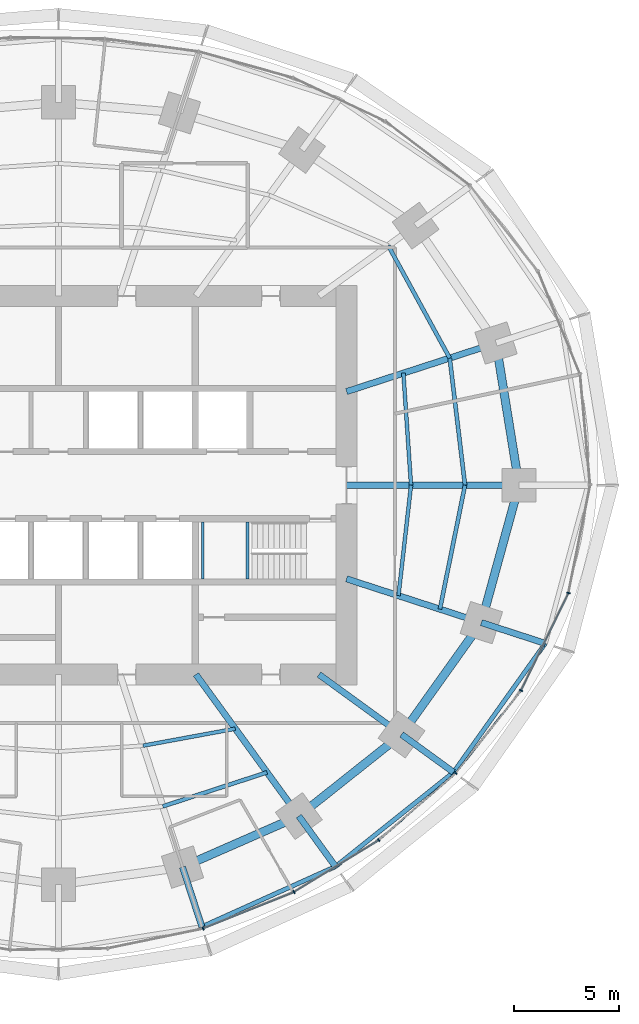
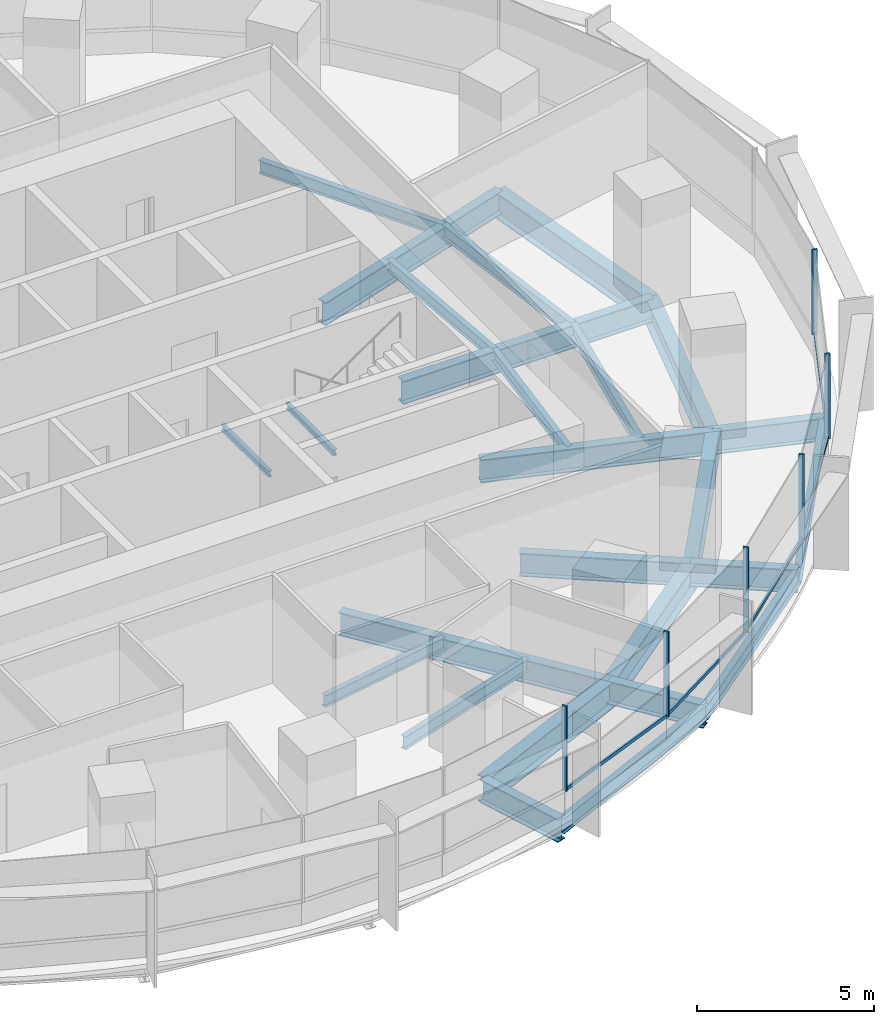
# One storey, part 5 of 14: 26 beams, 11 members, 2 elements without a shape of their own.
"""IFC4 building model written with IfcOpenShell, lengths in metres."""

from ifc_helpers import new_model, si_unit, direction, frame, origin, origin_2d, place, context, subcontext, project, spatial, rectangle, i_section, extrude, material, material_profile, profile_set, type_object, element, aggregate, save


model = new_model("IFC4")

# Units and contexts
model_context = context("Model", 3, precision=1e-05, world=origin(), true_north=direction((0.0, 1.0)))
body_context = subcontext(model_context, "Body", "Model", "MODEL_VIEW")
ifc_project = project(units=[si_unit("LENGTHUNIT", "METRE"), si_unit("AREAUNIT", "SQUARE_METRE"), si_unit("VOLUMEUNIT", "CUBIC_METRE"), si_unit("PLANEANGLEUNIT", "RADIAN"), si_unit("MASSUNIT", "GRAM", prefix="KILO")], contexts=[model_context])

# Site, building, storey
site_placement = place(None, origin())
site = spatial("IfcSite", under=ifc_project, at=site_placement, CompositionType="ELEMENT")
building_placement = place(site_placement, origin())
building = spatial("IfcBuilding", under=site, at=building_placement, Name="Marramba Exchange Tower", CompositionType="ELEMENT")
storey_placement = place(building_placement, frame((0.0, 0.0, 108.0)))
storey = spatial("IfcBuildingStorey", under=building, at=storey_placement, Name="L25", CompositionType="ELEMENT", Elevation=108.0)

# Beams
ifc_material_1 = material(Name="Steel AS/NZS 3679.2 grade 300", Category="steel")
ifc_material_profile_1 = material_profile(ifc_material_1, i_section(OverallWidth=0.300048828125, OverallDepth=0.800048828125, WebThickness=0.013916015625, FlangeThickness=0.031982421875, at=origin_2d()), Name="800WB192")
ifc_profile_set_1 = profile_set([ifc_material_profile_1], Name="Steel AS/NZS 3679.2 grade 300")
beam_type_1 = type_object("IfcBeamType", Name="Cantilever girder 800WB192", PredefinedType="BEAM", material=ifc_profile_set_1)
beam_1_placement = place(storey_placement, frame((5.899658203125, -18.156982421875, -0.56005859375), z_axis=(0.30903246226, -0.951051490336, 0.0), x_axis=(0.951051490336, 0.30903246226, 0.0)))
element("IfcBeam", 1, at=beam_1_placement, inside=storey, type_object=beam_type_1, Name="Cantilever girder L25 TC17", PredefinedType="BEAM", context=body_context, shape_type="SweptSolid", body=[
    extrude(i_section(OverallWidth=0.300048828125, OverallDepth=0.800048828125, WebThickness=0.013916015625, FlangeThickness=0.031982421875, at=origin_2d()), origin(), (0.0, 0.0, 1.0), 2.986328125),
])
beam_2_placement = place(storey_placement, frame((11.430419921875, -15.732666015625, -0.56005859375), z_axis=(0.587794986183, -0.8090099222, 0.0), x_axis=(0.8090099222, 0.587794986183, 0.0)))
element("IfcBeam", 2, at=beam_2_placement, inside=storey, type_object=beam_type_1, Name="Cantilever girder L25 TC18", PredefinedType="BEAM", context=body_context, shape_type="SweptSolid", body=[
    extrude(i_section(OverallWidth=0.300048828125, OverallDepth=0.800048828125, WebThickness=0.013916015625, FlangeThickness=0.031982421875, at=origin_2d()), origin(), (0.0, 0.0, 1.0), 2.9677734375),
])
beam_3_placement = place(storey_placement, frame((16.3154296875, -11.853759765625, -0.56005859375), z_axis=(0.809026231081, -0.587772538847, 0.0), x_axis=(0.587772538847, 0.809026231081, 0.0)))
element("IfcBeam", 3, at=beam_3_placement, inside=storey, type_object=beam_type_1, Name="Cantilever girder L25 TC19", PredefinedType="BEAM", context=body_context, shape_type="SweptSolid", body=[
    extrude(i_section(OverallWidth=0.300048828125, OverallDepth=0.800048828125, WebThickness=0.013916015625, FlangeThickness=0.031982421875, at=origin_2d()), origin(), (0.0, 0.0, 1.0), 3.055419921875),
])
beam_4_placement = place(storey_placement, frame((20.109375, -6.533935546875, -0.56005859375), z_axis=(0.951054839063, -0.309022156318, 0.0), x_axis=(0.309022156318, 0.951054839063, 0.0)))
element("IfcBeam", 4, at=beam_4_placement, inside=storey, type_object=beam_type_1, Name="Cantilever girder L25 TC20", PredefinedType="BEAM", context=body_context, shape_type="SweptSolid", body=[
    extrude(i_section(OverallWidth=0.300048828125, OverallDepth=0.800048828125, WebThickness=0.013916015625, FlangeThickness=0.031982421875, at=origin_2d()), origin(), (0.0, 0.0, 1.0), 3.19580078125),
])
ifc_material_2 = material(Name="Steel AS/NZS 3679.1 grade 300", Category="steel")
ifc_material_profile_2 = material_profile(ifc_material_2, i_section(OverallWidth=0.177978515625, OverallDepth=0.406005859375, WebThickness=0.0078125, FlangeThickness=0.0126953125, FilletRadius=0.011474609375, at=origin_2d()), Name="410UB59.7")
ifc_profile_set_2 = profile_set([ifc_material_profile_2], Name="Steel AS/NZS 3679.1 grade 300")
beam_type_2 = type_object("IfcBeamType", Name="Floor joist 410UB59.7", PredefinedType="JOIST", material=ifc_profile_set_2)
beam_5_placement = place(storey_placement, frame((16.7666015625, 0.0, -0.363037109375), z_axis=(-0.068096259546, 0.99767875563, 0.0), x_axis=(-0.99767875563, -0.068096259546, 0.0)))
element("IfcBeam", 5, at=beam_5_placement, inside=storey, type_object=beam_type_2, Name="Joist L25 bay 01 row 1", PredefinedType="JOIST", context=body_context, shape_type="SweptSolid", body=[
    extrude(i_section(OverallWidth=0.177978515625, OverallDepth=0.406005859375, WebThickness=0.0078125, FlangeThickness=0.0126953125, FilletRadius=0.011474609375, at=origin_2d()), origin(), (0.0, 0.0, 1.0), 5.342041015625),
])
beam_6_placement = place(storey_placement, frame((4.0244140625, -12.3857421875, -0.363037109375), z_axis=(0.983455754421, 0.181148500119, 0.0), x_axis=(-0.181148500119, 0.983455754421, 0.0)))
element("IfcBeam", 6, at=beam_6_placement, inside=storey, type_object=beam_type_2, Name="Joist L25 bay 17 row 1", PredefinedType="JOIST", context=body_context, shape_type="SweptSolid", body=[
    extrude(i_section(OverallWidth=0.177978515625, OverallDepth=0.406005859375, WebThickness=0.0078125, FlangeThickness=0.0126953125, FilletRadius=0.011474609375, at=origin_2d()), origin(), (0.0, 0.0, 1.0), 4.4609375),
])
beam_7_placement = place(storey_placement, frame((16.169677734375, -5.25390625, -0.363037109375), z_axis=(0.112888968594, 0.993607609054, 0.0), x_axis=(-0.993607609054, 0.112888968594, 0.0)))
element("IfcBeam", 7, at=beam_7_placement, inside=storey, type_object=beam_type_2, Name="Joist L25 bay 20 row 1", PredefinedType="JOIST", context=body_context, shape_type="SweptSolid", body=[
    extrude(i_section(OverallWidth=0.177978515625, OverallDepth=0.406005859375, WebThickness=0.0078125, FlangeThickness=0.0126953125, FilletRadius=0.011474609375, at=origin_2d()), origin(), (0.0, 0.0, 1.0), 5.28759765625),
])
ifc_material_profile_3 = material_profile(ifc_material_2, i_section(OverallWidth=0.18994140625, OverallDepth=0.4541015625, WebThickness=0.008544921875, FlangeThickness=0.0126953125, FilletRadius=0.011474609375, at=origin_2d()), Name="460UB67.1")
ifc_profile_set_3 = profile_set([ifc_material_profile_3], Name="Steel AS/NZS 3679.1 grade 300")
beam_type_3 = type_object("IfcBeamType", Name="Floor joist 460UB67.1", PredefinedType="JOIST", material=ifc_profile_set_3)
beam_8_placement = place(storey_placement, frame((19.333251953125, 0.0, -0.386962890625), z_axis=(-0.119523078538, 0.992831422597, 0.0), x_axis=(-0.992831422597, -0.119523078538, 0.0)))
element("IfcBeam", 8, at=beam_8_placement, inside=storey, type_object=beam_type_3, Name="Joist L25 bay 01 row 2", PredefinedType="JOIST", context=body_context, shape_type="SweptSolid", body=[
    extrude(i_section(OverallWidth=0.18994140625, OverallDepth=0.4541015625, WebThickness=0.008544921875, FlangeThickness=0.0126953125, FilletRadius=0.011474609375, at=origin_2d()), origin(), (0.0, 0.0, 1.0), 6.089111328125),
])
beam_9_placement = place(storey_placement, frame((18.60546875, 6.04541015625, -0.386962890625), z_axis=(-0.479584443791, 0.877495732909, 0.0), x_axis=(-0.877495732909, -0.479584443791, 0.0)))
element("IfcBeam", 9, at=beam_9_placement, inside=storey, type_object=beam_type_3, Name="Joist L25 bay 02 row 2", PredefinedType="JOIST", context=body_context, shape_type="SweptSolid", body=[
    extrude(i_section(OverallWidth=0.18994140625, OverallDepth=0.4541015625, WebThickness=0.008544921875, FlangeThickness=0.0126953125, FilletRadius=0.011474609375, at=origin_2d()), origin(), (0.0, 0.0, 1.0), 6.094970703125),
])
beam_10_placement = place(storey_placement, frame((4.9619140625, -15.271484375, -0.386962890625), z_axis=(0.950764024931, 0.309915744834, 0.0), x_axis=(-0.309915744834, 0.950764024931, 0.0)))
element("IfcBeam", 10, at=beam_10_placement, inside=storey, type_object=beam_type_3, Name="Joist L25 bay 17 row 2", PredefinedType="JOIST", context=body_context, shape_type="SweptSolid", body=[
    extrude(i_section(OverallWidth=0.18994140625, OverallDepth=0.4541015625, WebThickness=0.008544921875, FlangeThickness=0.0126953125, FilletRadius=0.011474609375, at=origin_2d()), origin(), (0.0, 0.0, 1.0), 5.2158203125),
])
beam_11_placement = place(storey_placement, frame((18.1396484375, -5.893798828125, -0.386962890625), z_axis=(0.198489047047, 0.980103105904, 0.0), x_axis=(-0.980103105904, 0.198489047047, 0.0)))
element("IfcBeam", 11, at=beam_11_placement, inside=storey, type_object=beam_type_3, Name="Joist L25 bay 20 row 2", PredefinedType="JOIST", context=body_context, shape_type="SweptSolid", body=[
    extrude(i_section(OverallWidth=0.18994140625, OverallDepth=0.4541015625, WebThickness=0.008544921875, FlangeThickness=0.0126953125, FilletRadius=0.011474609375, at=origin_2d()), origin(), (0.0, 0.0, 1.0), 6.013427734375),
])

# Curtain wall, member
ifc_material_3 = material(Name="Aluminium framing, bronze anodised", Category="aluminium")
curtain_wall_type = type_object("IfcCurtainWallType", Name="Office ribbon curtain wall", PredefinedType="USERDEFINED", material=ifc_material_3)
curtain_wall_1_placement = place(storey_placement, origin())
curtain_wall_1 = element("IfcCurtainWall", 12, at=curtain_wall_1_placement, inside=storey, type_object=curtain_wall_type, Name="Curtain wall CW4 L25 F21-F25", ObjectType="RIBBON CURTAIN WALL", PredefinedType="USERDEFINED")
ifc_material_4 = material(Name="Aluminium mullion, bronze anodised", Category="aluminium")
ifc_material_profile_4 = material_profile(ifc_material_4, rectangle(XDim=0.159912109375, YDim=0.06005859375, at=origin_2d()), Name="CW4 mullion 60x160")
ifc_profile_set_4 = profile_set([ifc_material_profile_4], Name="Aluminium mullion, bronze anodised")
member_type_1 = type_object("IfcMemberType", Name="Office ribbon curtain wall mullion", PredefinedType="MULLION", material=ifc_profile_set_4)
member_1_placement = place(storey_placement, frame((6.881103515625, -21.0810546875, 0.800048828125), z_axis=(0.0, 0.0, 1.0), x_axis=(-0.372209067082, 0.928148916059, 0.0)))
member_1 = element("IfcMember", 13, at=member_1_placement, type_object=member_type_1, Name="CW4 mullion 1", PredefinedType="MULLION", context=body_context, shape_type="SweptSolid", body=[
    extrude(rectangle(XDim=0.159912109375, YDim=0.06005859375, at=origin_2d()), origin(), (0.0, 0.0, 1.0), 2.93994140625),
])

# Curtain wall, members
curtain_wall_2_placement = place(storey_placement, origin())
curtain_wall_2 = element("IfcCurtainWall", 14, at=curtain_wall_2_placement, inside=storey, type_object=curtain_wall_type, Name="Curtain wall CW4 L25 F26-F30", ObjectType="RIBBON CURTAIN WALL", PredefinedType="USERDEFINED")
member_2_placement = place(storey_placement, frame((11.2021484375, -19.3427734375, 0.800048828125), z_axis=(0.0, 0.0, 1.0), x_axis=(-0.521732535664, 0.853109114492, 0.0)))
member_2 = element("IfcMember", 15, at=member_2_placement, type_object=member_type_1, Name="CW4 mullion 1", PredefinedType="MULLION", context=body_context, shape_type="SweptSolid", body=[
    extrude(rectangle(XDim=0.159912109375, YDim=0.06005859375, at=origin_2d()), origin(), (0.0, 0.0, 1.0), 2.93994140625),
])
member_3_placement = place(storey_placement, frame((15.232177734375, -16.872314453125, 0.800048828125), z_axis=(0.0, 0.0, 1.0), x_axis=(-0.656431647438, 0.754385506384, 0.0)))
member_3 = element("IfcMember", 16, at=member_3_placement, type_object=member_type_1, Name="CW4 mullion 1", PredefinedType="MULLION", context=body_context, shape_type="SweptSolid", body=[
    extrude(rectangle(XDim=0.159912109375, YDim=0.06005859375, at=origin_2d()), origin(), (0.0, 0.0, 1.0), 2.93994140625),
])
member_4_placement = place(storey_placement, frame((18.886962890625, -13.68505859375, 0.800048828125), z_axis=(0.0, 0.0, 1.0), x_axis=(-0.783170139469, 0.621807472329, 0.0)))
member_4 = element("IfcMember", 17, at=member_4_placement, type_object=member_type_1, Name="CW4 mullion 1", PredefinedType="MULLION", context=body_context, shape_type="SweptSolid", body=[
    extrude(rectangle(XDim=0.159912109375, YDim=0.06005859375, at=origin_2d()), origin(), (0.0, 0.0, 1.0), 2.93994140625),
])
member_5_placement = place(storey_placement, frame((21.994873046875, -9.760009765625, 0.800048828125), z_axis=(0.0, 0.0, 1.0), x_axis=(-0.89844486976, 0.439086342308, 0.0)))
member_5 = element("IfcMember", 18, at=member_5_placement, type_object=member_type_1, Name="CW4 mullion 1", PredefinedType="MULLION", context=body_context, shape_type="SweptSolid", body=[
    extrude(rectangle(XDim=0.159912109375, YDim=0.06005859375, at=origin_2d()), origin(), (0.0, 0.0, 1.0), 2.93994140625),
])
member_6_placement = place(storey_placement, frame((24.252197265625, -5.124267578125, 0.800048828125), z_axis=(0.0, 0.0, 1.0), x_axis=(-0.980393739376, 0.197048511267, 0.0)))
member_6 = element("IfcMember", 19, at=member_6_placement, type_object=member_type_1, Name="CW4 mullion 1", PredefinedType="MULLION", context=body_context, shape_type="SweptSolid", body=[
    extrude(rectangle(XDim=0.159912109375, YDim=0.06005859375, at=origin_2d()), origin(), (0.0, 0.0, 1.0), 2.93994140625),
])

# Member
ifc_material_5 = material(Name="Aluminium transom, bronze anodised", Category="aluminium")
ifc_material_profile_5 = material_profile(ifc_material_5, rectangle(XDim=0.06005859375, YDim=0.1201171875, at=origin_2d()), Name="CW4 transom 60x120")
ifc_profile_set_5 = profile_set([ifc_material_profile_5], Name="Aluminium transom, bronze anodised")
member_type_2 = type_object("IfcMemberType", Name="Office ribbon curtain wall transom", PredefinedType="USERDEFINED", material=ifc_profile_set_5)
member_7_placement = place(storey_placement, frame((6.908935546875, -21.06982421875, 0.830078125), z_axis=(0.928146753748, 0.372214459026, 0.0), x_axis=(-0.372214459026, 0.928146753748, 0.0)))
member_7 = element("IfcMember", 20, at=member_7_placement, type_object=member_type_2, Name="CW4 sill transom", ObjectType="TRANSOM", PredefinedType="USERDEFINED", context=body_context, shape_type="SweptSolid", body=[
    extrude(rectangle(XDim=0.06005859375, YDim=0.1201171875, at=origin_2d()), origin(), (0.0, 0.0, 1.0), 4.597900390625),
])

aggregate(curtain_wall_1, [member_1, member_7])

member_8_placement = place(storey_placement, frame((11.227783203125, -19.3271484375, 0.830078125), z_axis=(0.853124051379, 0.52170811088, 0.0), x_axis=(-0.52170811088, 0.853124051379, 0.0)))
member_8 = element("IfcMember", 21, at=member_8_placement, type_object=member_type_2, Name="CW4 sill transom", ObjectType="TRANSOM", PredefinedType="USERDEFINED", context=body_context, shape_type="SweptSolid", body=[
    extrude(rectangle(XDim=0.06005859375, YDim=0.1201171875, at=origin_2d()), origin(), (0.0, 0.0, 1.0), 4.66748046875),
])

member_9_placement = place(storey_placement, frame((15.2548828125, -16.8525390625, 0.830078125), z_axis=(0.754392594189, 0.65642350189, 0.0), x_axis=(-0.65642350189, 0.754392594189, 0.0)))
member_9 = element("IfcMember", 22, at=member_9_placement, type_object=member_type_2, Name="CW4 sill transom", ObjectType="TRANSOM", PredefinedType="USERDEFINED", context=body_context, shape_type="SweptSolid", body=[
    extrude(rectangle(XDim=0.06005859375, YDim=0.1201171875, at=origin_2d()), origin(), (0.0, 0.0, 1.0), 4.78955078125),
])

member_10_placement = place(storey_placement, frame((18.905517578125, -13.66162109375, 0.830078125), z_axis=(0.621777997945, 0.783193540111, 0.0), x_axis=(-0.783193540111, 0.621777997945, 0.0)))
member_10 = element("IfcMember", 23, at=member_10_placement, type_object=member_type_2, Name="CW4 sill transom", ObjectType="TRANSOM", PredefinedType="USERDEFINED", context=body_context, shape_type="SweptSolid", body=[
    extrude(rectangle(XDim=0.06005859375, YDim=0.1201171875, at=origin_2d()), origin(), (0.0, 0.0, 1.0), 4.947265625),
])

member_11_placement = place(storey_placement, frame((22.008056640625, -9.73291015625, 0.830078125), z_axis=(0.439090714557, 0.898442732949, 0.0), x_axis=(-0.898442732949, 0.439090714557, 0.0)))
member_11 = element("IfcMember", 24, at=member_11_placement, type_object=member_type_2, Name="CW4 sill transom", ObjectType="TRANSOM", PredefinedType="USERDEFINED", context=body_context, shape_type="SweptSolid", body=[
    extrude(rectangle(XDim=0.06005859375, YDim=0.1201171875, at=origin_2d()), origin(), (0.0, 0.0, 1.0), 5.096923828125),
])

aggregate(curtain_wall_2, [member_2, member_8, member_3, member_9, member_4, member_10, member_5, member_11, member_6])

# Beams
ifc_material_profile_6 = material_profile(ifc_material_1, i_section(OverallWidth=0.300048828125, OverallDepth=0.800048828125, WebThickness=0.013916015625, FlangeThickness=0.031982421875, at=origin_2d()), Name="800WB192")
ifc_profile_set_6 = profile_set([ifc_material_profile_6], Name="Steel AS/NZS 3679.2 grade 300")
beam_type_4 = type_object("IfcBeamType", Name="Radial girder 800WB192", PredefinedType="BEAM", material=ifc_profile_set_6)
beam_12_placement = place(storey_placement, frame((13.699951171875, 0.0, -0.56005859375), z_axis=(1.0, 0.0, 0.0), x_axis=(0.0, 1.0, 0.0)))
element("IfcBeam", 25, at=beam_12_placement, inside=storey, type_object=beam_type_4, Name="Radial girder L25 TC01", PredefinedType="BEAM", context=body_context, shape_type="SweptSolid", body=[
    extrude(i_section(OverallWidth=0.300048828125, OverallDepth=0.800048828125, WebThickness=0.013916015625, FlangeThickness=0.031982421875, at=origin_2d()), origin(), (0.0, 0.0, 1.0), 8.199951171875),
])
beam_13_placement = place(storey_placement, frame((13.699951171875, 4.451416015625, -0.56005859375), z_axis=(0.951059990189, 0.309006302624, 0.0), x_axis=(-0.309006302624, 0.951059990189, 0.0)))
element("IfcBeam", 26, at=beam_13_placement, inside=storey, type_object=beam_type_4, Name="Radial girder L25 TC02", PredefinedType="BEAM", context=body_context, shape_type="SweptSolid", body=[
    extrude(i_section(OverallWidth=0.300048828125, OverallDepth=0.800048828125, WebThickness=0.013916015625, FlangeThickness=0.031982421875, at=origin_2d()), origin(), (0.0, 0.0, 1.0), 7.47412109375),
])
beam_14_placement = place(storey_placement, frame((6.538818359375, -9.0, -0.56005859375), z_axis=(0.587787877172, -0.809015087282, 0.0), x_axis=(0.809015087282, 0.587787877172, 0.0)))
element("IfcBeam", 27, at=beam_14_placement, inside=storey, type_object=beam_type_4, Name="Radial girder L25 TC18", PredefinedType="BEAM", context=body_context, shape_type="SweptSolid", body=[
    extrude(i_section(OverallWidth=0.300048828125, OverallDepth=0.800048828125, WebThickness=0.013916015625, FlangeThickness=0.031982421875, at=origin_2d()), origin(), (0.0, 0.0, 1.0), 8.322021484375),
])
beam_15_placement = place(storey_placement, frame((12.387451171875, -9.0, -0.56005859375), z_axis=(0.809025189606, -0.58777397236, 0.0), x_axis=(0.58777397236, 0.809025189606, 0.0)))
element("IfcBeam", 28, at=beam_15_placement, inside=storey, type_object=beam_type_4, Name="Radial girder L25 TC19", PredefinedType="BEAM", context=body_context, shape_type="SweptSolid", body=[
    extrude(i_section(OverallWidth=0.300048828125, OverallDepth=0.800048828125, WebThickness=0.013916015625, FlangeThickness=0.031982421875, at=origin_2d()), origin(), (0.0, 0.0, 1.0), 4.855224609375),
])
beam_16_placement = place(storey_placement, frame((13.699951171875, -4.451416015625, -0.56005859375), z_axis=(0.951057759669, -0.309013167637, 0.0), x_axis=(0.309013167637, 0.951057759669, 0.0)))
element("IfcBeam", 29, at=beam_16_placement, inside=storey, type_object=beam_type_4, Name="Radial girder L25 TC20", PredefinedType="BEAM", context=body_context, shape_type="SweptSolid", body=[
    extrude(i_section(OverallWidth=0.300048828125, OverallDepth=0.800048828125, WebThickness=0.013916015625, FlangeThickness=0.031982421875, at=origin_2d()), origin(), (0.0, 0.0, 1.0), 6.7392578125),
])
ifc_material_profile_7 = material_profile(ifc_material_1, i_section(OverallWidth=0.39990234375, OverallDepth=0.89990234375, WebThickness=0.01611328125, FlangeThickness=0.031982421875, at=origin_2d()), Name="900WB282")
ifc_profile_set_7 = profile_set([ifc_material_profile_7], Name="Steel AS/NZS 3679.2 grade 300")
beam_type_5 = type_object("IfcBeamType", Name="Ring beam 900WB282", PredefinedType="SPANDREL", material=ifc_profile_set_7)
beam_17_placement = place(storey_placement, frame((21.89990234375, 0.0, -0.610107421875), z_axis=(-0.159384865399, 0.987216523708, 0.0), x_axis=(-0.987216523708, -0.159384865399, 0.0)))
element("IfcBeam", 30, at=beam_17_placement, inside=storey, type_object=beam_type_5, Name="Ring beam L25 TC01-TC02", PredefinedType="SPANDREL", context=body_context, shape_type="SweptSolid", body=[
    extrude(i_section(OverallWidth=0.39990234375, OverallDepth=0.89990234375, WebThickness=0.01611328125, FlangeThickness=0.031982421875, at=origin_2d()), origin(), (0.0, 0.0, 1.0), 6.8486328125),
])
beam_18_placement = place(storey_placement, frame((5.899658203125, -18.156982421875, -0.610107421875), z_axis=(0.915876892158, 0.4014592363, 0.0), x_axis=(-0.4014592363, 0.915876892158, 0.0)))
element("IfcBeam", 31, at=beam_18_placement, inside=storey, type_object=beam_type_5, Name="Ring beam L25 TC17-TC18", PredefinedType="SPANDREL", context=body_context, shape_type="SweptSolid", body=[
    extrude(i_section(OverallWidth=0.39990234375, OverallDepth=0.89990234375, WebThickness=0.01611328125, FlangeThickness=0.031982421875, at=origin_2d()), origin(), (0.0, 0.0, 1.0), 6.038818359375),
])
beam_19_placement = place(storey_placement, frame((11.430419921875, -15.732666015625, -0.610107421875), z_axis=(0.783139438128, 0.621846138887, 0.0), x_axis=(-0.621846138887, 0.783139438128, 0.0)))
element("IfcBeam", 32, at=beam_19_placement, inside=storey, type_object=beam_type_5, Name="Ring beam L25 TC18-TC19", PredefinedType="SPANDREL", context=body_context, shape_type="SweptSolid", body=[
    extrude(i_section(OverallWidth=0.39990234375, OverallDepth=0.89990234375, WebThickness=0.01611328125, FlangeThickness=0.031982421875, at=origin_2d()), origin(), (0.0, 0.0, 1.0), 6.23779296875),
])
beam_20_placement = place(storey_placement, frame((16.3154296875, -11.853759765625, -0.610107421875), z_axis=(0.580637181111, 0.814162430914, 0.0), x_axis=(-0.814162430914, 0.580637181111, 0.0)))
element("IfcBeam", 33, at=beam_20_placement, inside=storey, type_object=beam_type_5, Name="Ring beam L25 TC19-TC20", PredefinedType="SPANDREL", context=body_context, shape_type="SweptSolid", body=[
    extrude(i_section(OverallWidth=0.39990234375, OverallDepth=0.89990234375, WebThickness=0.01611328125, FlangeThickness=0.031982421875, at=origin_2d()), origin(), (0.0, 0.0, 1.0), 6.5341796875),
])
beam_21_placement = place(storey_placement, frame((20.109375, -6.533935546875, -0.610107421875), z_axis=(0.264291166956, 0.964442937176, 0.0), x_axis=(-0.964442937176, 0.264291166956, 0.0)))
element("IfcBeam", 34, at=beam_21_placement, inside=storey, type_object=beam_type_5, Name="Ring beam L25 TC20-TC01", PredefinedType="SPANDREL", context=body_context, shape_type="SweptSolid", body=[
    extrude(i_section(OverallWidth=0.39990234375, OverallDepth=0.89990234375, WebThickness=0.01611328125, FlangeThickness=0.031982421875, at=origin_2d()), origin(), (0.0, 0.0, 1.0), 6.77490234375),
])
ifc_material_profile_8 = material_profile(ifc_material_2, i_section(OverallWidth=0.208984375, OverallDepth=0.528076171875, WebThickness=0.009521484375, FlangeThickness=0.01318359375, FilletRadius=0.013916015625, at=origin_2d()), Name="530UB82.0")
ifc_profile_set_8 = profile_set([ifc_material_profile_8], Name="Steel AS/NZS 3679.1 grade 300")
beam_type_6 = type_object("IfcBeamType", Name="Slab edge beam 530UB82.0", PredefinedType="SPANDREL", material=ifc_profile_set_8)
beam_22_placement = place(storey_placement, frame((6.822509765625, -20.9970703125, -0.424072265625), z_axis=(0.911653171624, 0.410960453898, 0.0), x_axis=(-0.410960453898, 0.911653171624, 0.0)))
element("IfcBeam", 35, at=beam_22_placement, inside=storey, type_object=beam_type_6, Name="Slab edge beam L25 TC17-TC18", PredefinedType="SPANDREL", context=body_context, shape_type="SweptSolid", body=[
    extrude(i_section(OverallWidth=0.208984375, OverallDepth=0.528076171875, WebThickness=0.009521484375, FlangeThickness=0.01318359375, FilletRadius=0.013916015625, at=origin_2d()), origin(), (0.0, 0.0, 1.0), 6.9677734375),
])
beam_23_placement = place(storey_placement, frame((13.1748046875, -18.133544921875, -0.424072265625), z_axis=(0.781286404457, 0.624172695822, 0.0), x_axis=(-0.624172695822, 0.781286404457, 0.0)))
element("IfcBeam", 36, at=beam_23_placement, inside=storey, type_object=beam_type_6, Name="Slab edge beam L25 TC18-TC19", PredefinedType="SPANDREL", context=body_context, shape_type="SweptSolid", body=[
    extrude(i_section(OverallWidth=0.208984375, OverallDepth=0.528076171875, WebThickness=0.009521484375, FlangeThickness=0.01318359375, FilletRadius=0.013916015625, at=origin_2d()), origin(), (0.0, 0.0, 1.0), 7.183837890625),
])
beam_24_placement = place(storey_placement, frame((18.787353515625, -13.649658203125, -0.424072265625), z_axis=(0.579834168245, 0.814734519543, 0.0), x_axis=(-0.814734519543, 0.579834168245, 0.0)))
element("IfcBeam", 37, at=beam_24_placement, inside=storey, type_object=beam_type_6, Name="Slab edge beam L25 TC19-TC20", PredefinedType="SPANDREL", context=body_context, shape_type="SweptSolid", body=[
    extrude(i_section(OverallWidth=0.208984375, OverallDepth=0.528076171875, WebThickness=0.009521484375, FlangeThickness=0.01318359375, FilletRadius=0.013916015625, at=origin_2d()), origin(), (0.0, 0.0, 1.0), 7.521728515625),
])
ifc_material_profile_9 = material_profile(ifc_material_2, i_section(OverallWidth=0.133056640625, OverallDepth=0.202880859375, WebThickness=0.005859375, FlangeThickness=0.0078125, FilletRadius=0.0087890625, at=origin_2d()), Name="200UB25.4")
ifc_profile_set_9 = profile_set([ifc_material_profile_9], Name="Steel AS/NZS 3679.1 grade 300")
beam_type_7 = type_object("IfcBeamType", Name="Stair landing beam 200UB25.4", PredefinedType="BEAM", material=ifc_profile_set_9)
for number, where, z_axis, x_axis, name in (
    (38, (6.866455078125, -4.449951171875, 1.6484375), (0.0, 1.0, 0.0), (-1.0, 0.0, 0.0), "Stair landing beam SLB1 ST2 L25 1"),
    (39, (8.9833984375, -4.449951171875, 1.6484375), (0.0, 1.0, 0.0), (-1.0, 0.0, 0.0), "Stair landing beam SLB1 ST2 L25 2"),
):
    element("IfcBeam", number, at=place(storey_placement, frame(where, z_axis=z_axis, x_axis=x_axis)), inside=storey, type_object=beam_type_7, Name=name, PredefinedType="BEAM", context=body_context, shape_type="SweptSolid", body=[
        extrude(i_section(OverallWidth=0.133056640625, OverallDepth=0.202880859375, WebThickness=0.005859375, FlangeThickness=0.0078125, FilletRadius=0.0087890625, at=origin_2d()), origin(), (0.0, 0.0, 1.0), 2.699951171875),
    ])

save(model, "model.ifc")
